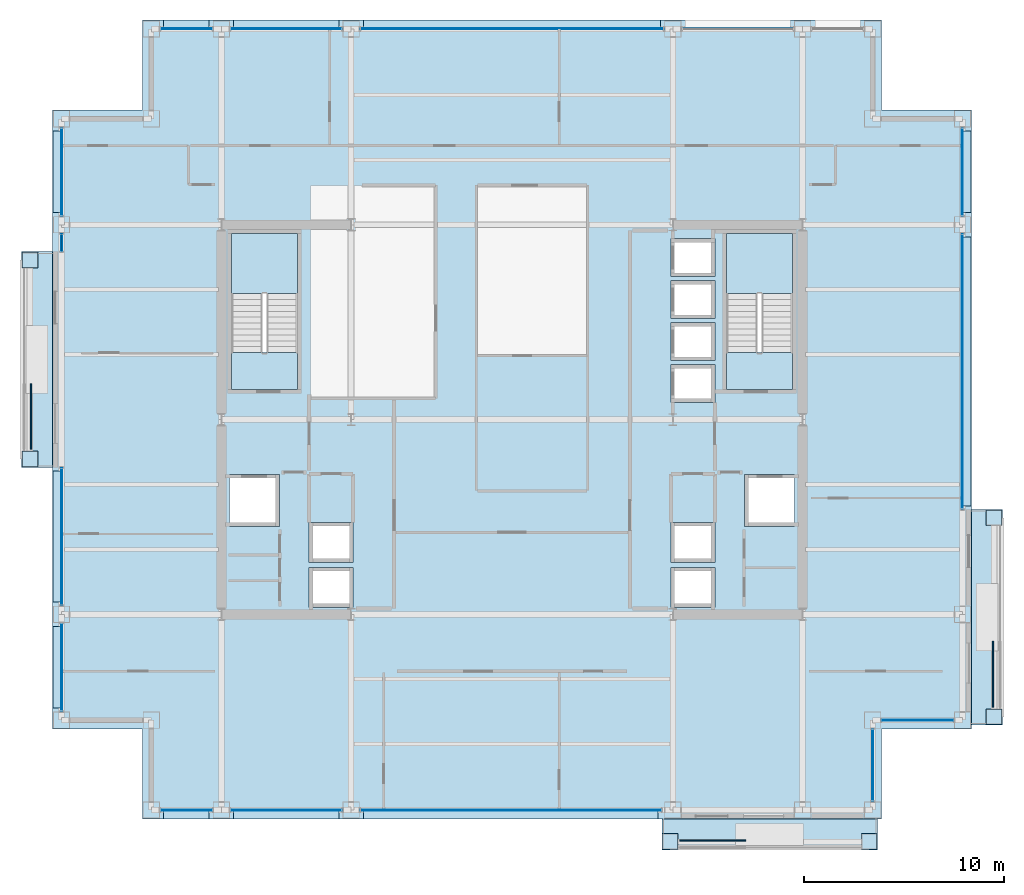
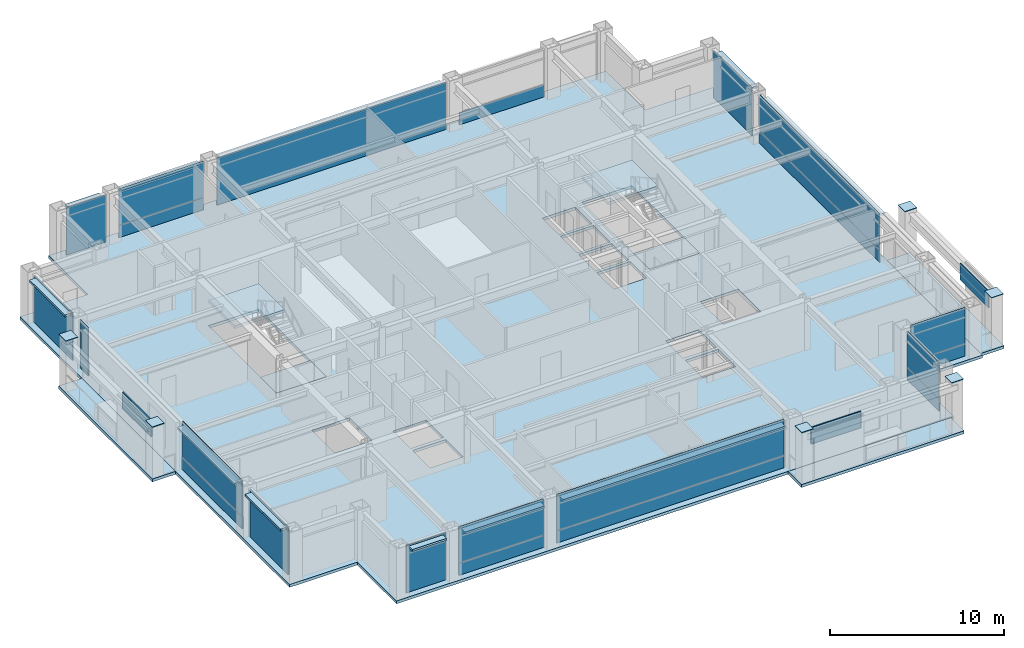
# One storey, part 24 of 31: 43 plates, 8 slabs, 1 member, 17 elements without a shape of their own.
"""IFC4 building model written with IfcOpenShell, lengths in metres."""

from ifc_helpers import new_model, si_unit, direction, frame, origin, origin_2d, place, context, subcontext, project, spatial, polyline, rectangle, hollow_rectangle, outline, extrude, material, layer, layer_set, material_profile, profile_set, type_object, element, aggregate, save


model = new_model("IFC4")

# Units and contexts
model_context = context("Model", 3, precision=1e-05, world=origin(), true_north=direction((0.0, 1.0)))
body_context = subcontext(model_context, "Body", "Model", "MODEL_VIEW")
ifc_project = project(units=[si_unit("LENGTHUNIT", "METRE"), si_unit("AREAUNIT", "SQUARE_METRE"), si_unit("VOLUMEUNIT", "CUBIC_METRE"), si_unit("PLANEANGLEUNIT", "RADIAN"), si_unit("MASSUNIT", "GRAM", prefix="KILO")], contexts=[model_context])

# Site, building, storey
site_placement = place(None, origin())
site = spatial("IfcSite", under=ifc_project, at=site_placement, CompositionType="ELEMENT")
building_placement = place(site_placement, origin())
building = spatial("IfcBuilding", under=site, at=building_placement, Name="Brelmoor Portico Tower", CompositionType="ELEMENT")
storey_placement = place(building_placement, frame((0.0, 0.0, 113.39990234375)))
storey = spatial("IfcBuildingStorey", under=building, at=storey_placement, Name="L29", CompositionType="ELEMENT", Elevation=113.39990234375)

# Curtain wall, member
ifc_material_1 = material(Name="Anodised Aluminium Alloy 6063-T6", Category="aluminium")
ifc_layer_1 = layer(ifc_material_1, 0.179931640625)
ifc_layer_set_1 = layer_set([ifc_layer_1], Name="Anodised Aluminium Alloy 6063-T6")
curtain_wall_type_1 = type_object("IfcCurtainWallType", Name="CW-TOWER-Z2", PredefinedType="NOTDEFINED", material=ifc_layer_set_1)
curtain_wall_1_placement = place(storey_placement, origin())
curtain_wall_1 = element("IfcCurtainWall", 1, at=curtain_wall_1_placement, inside=storey, type_object=curtain_wall_type_1, Name="L29 Curtain Wall CW-L29-3R-1", PredefinedType="NOTDEFINED")
ifc_material_profile = material_profile(ifc_material_1, hollow_rectangle(XDim=0.06494140625, YDim=0.139892578125, WallThickness=0.00390625, at=origin_2d()), Name="ALU TRANSOM 65x140")
ifc_profile_set = profile_set([ifc_material_profile], Name="Anodised Aluminium Alloy 6063-T6")
member_type = type_object("IfcMemberType", Name="MB-CW-TRAN-140", PredefinedType="USERDEFINED", material=ifc_profile_set)
member_placement = place(storey_placement, frame((-22.550048828125, 8.39990234375, 0.85009765625), z_axis=(0.0, 1.0, 0.0), x_axis=(-1.0, 0.0, 0.0)))
member = element("IfcMember", 2, at=member_placement, type_object=member_type, Name="CW-L29-3R-1 Transom 1-00", ObjectType="TRANSOM", PredefinedType="USERDEFINED", context=body_context, shape_type="SweptSolid", body=[
    extrude(hollow_rectangle(XDim=0.06494140625, YDim=0.139892578125, WallThickness=0.00390625, at=origin_2d()), origin(), (0.0, 0.0, 1.0), 0.9150390625),
])

# Plates
ifc_material_2 = material(Name="Steel Q355B", Category="steel")
ifc_layer_2 = layer(ifc_material_2, 0.044921875)
ifc_layer_set_2 = layer_set([ifc_layer_2], Name="Steel Q355B")
plate_type_1 = type_object("IfcPlateType", Name="PT-CAP-650", PredefinedType="SHEET", material=ifc_layer_set_2)
for number, where, z_axis, x_axis, name in (
    (3, (7.919921875, -21.1298828125, 3.60009765625), (0.0, 0.0, 1.0), (1.0, 0.0, 0.0), "L29 Proud Picture-Frame Pier PFJ-S1 Welded Head Cap Plate"),
    (4, (17.8798828125, -21.1298828125, 3.60009765625), (0.0, 0.0, 1.0), (1.0, 0.0, 0.0), "L29 Proud Picture-Frame Pier PFJ-S2 Welded Head Cap Plate"),
    (5, (24.1298828125, -14.8798828125, 3.60009765625), (0.0, 0.0, 1.0), (0.0, 1.0, 0.0), "L29 Proud Picture-Frame Pier PFJ-E1 Welded Head Cap Plate"),
    (6, (24.1298828125, -4.919921875, 3.60009765625), (0.0, 0.0, 1.0), (0.0, 1.0, 0.0), "L29 Proud Picture-Frame Pier PFJ-E2 Welded Head Cap Plate"),
    (7, (-24.1298828125, -1.97998046875, 3.60009765625), (0.0, 0.0, 1.0), (0.0, 1.0, 0.0), "L29 Proud Picture-Frame Pier PFJ-W1 Welded Head Cap Plate"),
    (8, (-24.1298828125, 7.97998046875, 3.60009765625), (0.0, 0.0, 1.0), (0.0, 1.0, 0.0), "L29 Proud Picture-Frame Pier PFJ-W2 Welded Head Cap Plate"),
):
    element("IfcPlate", number, at=place(storey_placement, frame(where, z_axis=z_axis, x_axis=x_axis)), inside=storey, type_object=plate_type_1, Name=name, PredefinedType="SHEET", context=body_context, shape_type="SweptSolid", body=[
        extrude(rectangle(XDim=0.7900390625, YDim=0.7900390625, at=origin_2d()), origin(), (0.0, 0.0, 1.0), 0.0400390625),
    ])

# Curtain wall, plate
curtain_wall_2_placement = place(storey_placement, origin())
curtain_wall_2 = element("IfcCurtainWall", 9, at=curtain_wall_2_placement, inside=storey, type_object=curtain_wall_type_1, Name="L29 Curtain Wall CW-L29-1L-2", PredefinedType="NOTDEFINED")
ifc_material_3 = material(Name="Double-Silver Low-E Insulated Glazing", Category="glass")
ifc_layer_3 = layer(ifc_material_3, 0.035888671875)
ifc_layer_set_3 = layer_set([ifc_layer_3], Name="Double-Silver Low-E Insulated Glazing")
plate_type_2 = type_object("IfcPlateType", Name="PT-CW-GLASS", PredefinedType="CURTAIN_PANEL", material=ifc_layer_set_3)
plate_1_placement = place(storey_placement, frame((-11.300048828125, -19.550048828125, 0.85009765625), z_axis=(0.0, 0.0, 1.0), x_axis=(1.0, 0.0, 0.0)))
plate_1 = element("IfcPlate", 10, at=plate_1_placement, type_object=plate_type_2, Name="CW-L29-1L-2 Vision Glass Panel 00", PredefinedType="CURTAIN_PANEL", context=body_context, shape_type="SweptSolid", body=[
    extrude(rectangle(XDim=5.60009765625, YDim=0.035888671875, at=origin_2d()), origin(), (0.0, 0.0, 1.0), 2.550048828125),
])

curtain_wall_3_placement = place(storey_placement, origin())
curtain_wall_3 = element("IfcCurtainWall", 11, at=curtain_wall_3_placement, inside=storey, type_object=curtain_wall_type_1, Name="L29 Curtain Wall CW-L29-1L-3", PredefinedType="NOTDEFINED")
plate_2_placement = place(storey_placement, frame((-0.0576171875, -19.550048828125, 0.85009765625), z_axis=(0.0, 0.0, 1.0), x_axis=(1.0, 0.0, 0.0)))
plate_2 = element("IfcPlate", 12, at=plate_2_placement, type_object=plate_type_2, Name="CW-L29-1L-3 Vision Glass Panel 00", PredefinedType="CURTAIN_PANEL", context=body_context, shape_type="SweptSolid", body=[
    extrude(rectangle(XDim=15.0849609375, YDim=0.035888671875, at=origin_2d()), origin(), (0.0, 0.0, 1.0), 2.550048828125),
])

curtain_wall_4_placement = place(storey_placement, origin())
curtain_wall_4 = element("IfcCurtainWall", 13, at=curtain_wall_4_placement, inside=storey, type_object=curtain_wall_type_1, Name="L29 Curtain Wall CW-L29-02-2", PredefinedType="NOTDEFINED")
plate_3_placement = place(storey_placement, frame((-11.300048828125, 19.550048828125, 0.85009765625), z_axis=(0.0, 0.0, 1.0), x_axis=(1.0, 0.0, 0.0)))
plate_3 = element("IfcPlate", 14, at=plate_3_placement, type_object=plate_type_2, Name="CW-L29-02-2 Vision Glass Panel 00", PredefinedType="CURTAIN_PANEL", context=body_context, shape_type="SweptSolid", body=[
    extrude(rectangle(XDim=5.60009765625, YDim=0.035888671875, at=origin_2d()), origin(), (0.0, 0.0, 1.0), 2.550048828125),
])

curtain_wall_5_placement = place(storey_placement, origin())
curtain_wall_5 = element("IfcCurtainWall", 15, at=curtain_wall_5_placement, inside=storey, type_object=curtain_wall_type_1, Name="L29 Curtain Wall CW-L29-3L-2", PredefinedType="NOTDEFINED")
plate_4_placement = place(storey_placement, frame((-22.550048828125, -5.857421875, 0.85009765625), z_axis=(0.0, 0.0, 1.0), x_axis=(0.0, 1.0, 0.0)))
plate_4 = element("IfcPlate", 16, at=plate_4_placement, type_object=plate_type_2, Name="CW-L29-3L-2 Vision Glass Panel 00", PredefinedType="CURTAIN_PANEL", context=body_context, shape_type="SweptSolid", body=[
    extrude(rectangle(XDim=6.885009765625, YDim=0.035888671875, at=origin_2d()), origin(), (0.0, 0.0, 1.0), 2.550048828125),
])

# Plate
plate_5_placement = place(storey_placement, frame((-22.550048828125, 8.857421875, 0.85009765625), z_axis=(0.0, 0.0, 1.0), x_axis=(0.0, 1.0, 0.0)))
plate_5 = element("IfcPlate", 17, at=plate_5_placement, type_object=plate_type_2, Name="CW-L29-3R-1 Vision Glass Panel 00", PredefinedType="CURTAIN_PANEL", context=body_context, shape_type="SweptSolid", body=[
    extrude(rectangle(XDim=0.885009765625, YDim=0.035888671875, at=origin_2d()), origin(), (0.0, 0.0, 1.0), 2.550048828125),
])

# Curtain wall, plate
curtain_wall_6_placement = place(storey_placement, origin())
curtain_wall_6 = element("IfcCurtainWall", 18, at=curtain_wall_6_placement, inside=storey, type_object=curtain_wall_type_1, Name="L29 Curtain Wall CW-L29-4R-1", PredefinedType="NOTDEFINED")
plate_6_placement = place(storey_placement, frame((22.550048828125, 2.407470703125, 0.85009765625), z_axis=(0.0, 0.0, 1.0), x_axis=(0.0, 1.0, 0.0)))
plate_6 = element("IfcPlate", 19, at=plate_6_placement, type_object=plate_type_2, Name="CW-L29-4R-1 Vision Glass Panel 00", PredefinedType="CURTAIN_PANEL", context=body_context, shape_type="SweptSolid", body=[
    extrude(rectangle(XDim=13.784912109375, YDim=0.035888671875, at=origin_2d()), origin(), (0.0, 0.0, 1.0), 2.550048828125),
])

ifc_layer_4 = layer(ifc_material_1, 0.179931640625)
ifc_layer_set_4 = layer_set([ifc_layer_4], Name="Anodised Aluminium Alloy 6063-T6")
curtain_wall_type_2 = type_object("IfcCurtainWallType", Name="CW-NOTCH-CHAMFER", PredefinedType="NOTDEFINED", material=ifc_layer_set_4)
curtain_wall_7_placement = place(storey_placement, origin())
curtain_wall_7 = element("IfcCurtainWall", 20, at=curtain_wall_7_placement, inside=storey, type_object=curtain_wall_type_2, Name="L29 Curtain Wall CWN-L29-SEH", PredefinedType="NOTDEFINED")
plate_7_placement = place(storey_placement, frame((20.300048828125, -15.050048828125, 0.85009765625), z_axis=(0.0, 0.0, 1.0), x_axis=(1.0, 0.0, 0.0)))
plate_7 = element("IfcPlate", 21, at=plate_7_placement, type_object=plate_type_2, Name="CWN-L29-SEH Vision Glass Panel 00", PredefinedType="CURTAIN_PANEL", context=body_context, shape_type="SweptSolid", body=[
    extrude(rectangle(XDim=3.60009765625, YDim=0.035888671875, at=origin_2d()), origin(), (0.0, 0.0, 1.0), 2.550048828125),
])

curtain_wall_8_placement = place(storey_placement, origin())
curtain_wall_8 = element("IfcCurtainWall", 22, at=curtain_wall_8_placement, inside=storey, type_object=curtain_wall_type_2, Name="L29 Curtain Wall CWN-L29-SEV", PredefinedType="NOTDEFINED")
plate_8_placement = place(storey_placement, frame((18.050048828125, -17.300048828125, 0.85009765625), z_axis=(0.0, 0.0, 1.0), x_axis=(0.0, 1.0, 0.0)))
plate_8 = element("IfcPlate", 23, at=plate_8_placement, type_object=plate_type_2, Name="CWN-L29-SEV Vision Glass Panel 00", PredefinedType="CURTAIN_PANEL", context=body_context, shape_type="SweptSolid", body=[
    extrude(rectangle(XDim=3.60009765625, YDim=0.035888671875, at=origin_2d()), origin(), (0.0, 0.0, 1.0), 2.550048828125),
])

ifc_layer_5 = layer(ifc_material_1, 0.179931640625)
ifc_layer_set_5 = layer_set([ifc_layer_5], Name="Anodised Aluminium Alloy 6063-T6")
curtain_wall_type_3 = type_object("IfcCurtainWallType", Name="CW-TOWER-Z2-XB", PredefinedType="NOTDEFINED", material=ifc_layer_set_5)
curtain_wall_9_placement = place(storey_placement, origin())
curtain_wall_9 = element("IfcCurtainWall", 24, at=curtain_wall_9_placement, inside=storey, type_object=curtain_wall_type_3, Name="L29 Curtain Wall CW-L29-1L-1", PredefinedType="NOTDEFINED")
ifc_material_4 = material(Name="Pale Champagne Anodised Aluminium Panel", Category="aluminium")
ifc_layer_6 = layer(ifc_material_4, 0.050048828125)
ifc_layer_set_6 = layer_set([ifc_layer_6], Name="Pale Champagne Anodised Aluminium Panel")
plate_type_3 = type_object("IfcPlateType", Name="PT-CW-SPANDREL", PredefinedType="SHEET", material=ifc_layer_set_6)
plate_9_placement = place(storey_placement, frame((-16.300048828125, -19.550048828125, 0.0), z_axis=(0.0, 0.0, 1.0), x_axis=(1.0, 0.0, 0.0)))
plate_9 = element("IfcPlate", 25, at=plate_9_placement, type_object=plate_type_3, Name="CW-L29-1L-1 Spandrel Panel 00", PredefinedType="SHEET", context=body_context, shape_type="SweptSolid", body=[
    extrude(rectangle(XDim=2.60009765625, YDim=0.050048828125, at=origin_2d()), origin(), (0.0, 0.0, 1.0), 3.330078125),
])
aggregate(curtain_wall_9, [plate_9])

# Plate
plate_10_placement = place(storey_placement, frame((-11.300048828125, -19.550048828125, 0.0), z_axis=(0.0, 0.0, 1.0), x_axis=(1.0, 0.0, 0.0)))
plate_10 = element("IfcPlate", 26, at=plate_10_placement, type_object=plate_type_3, Name="CW-L29-1L-2 Spandrel Panel 00", PredefinedType="SHEET", context=body_context, shape_type="SweptSolid", body=[
    extrude(rectangle(XDim=5.60009765625, YDim=0.050048828125, at=origin_2d()), origin(), (0.0, 0.0, 1.0), 0.85009765625),
])

aggregate(curtain_wall_2, [plate_10, plate_1])

plate_11_placement = place(storey_placement, frame((-0.0576171875, -19.550048828125, 0.0), z_axis=(0.0, 0.0, 1.0), x_axis=(1.0, 0.0, 0.0)))
plate_11 = element("IfcPlate", 27, at=plate_11_placement, type_object=plate_type_3, Name="CW-L29-1L-3 Spandrel Panel 00", PredefinedType="SHEET", context=body_context, shape_type="SweptSolid", body=[
    extrude(rectangle(XDim=15.0849609375, YDim=0.050048828125, at=origin_2d()), origin(), (0.0, 0.0, 1.0), 0.85009765625),
])

aggregate(curtain_wall_3, [plate_11, plate_2])

# Curtain wall, plate
curtain_wall_10_placement = place(storey_placement, origin())
curtain_wall_10 = element("IfcCurtainWall", 28, at=curtain_wall_10_placement, inside=storey, type_object=curtain_wall_type_3, Name="L29 Curtain Wall CW-L29-02-1", PredefinedType="NOTDEFINED")
plate_12_placement = place(storey_placement, frame((-16.300048828125, 19.550048828125, 0.0), z_axis=(0.0, 0.0, 1.0), x_axis=(1.0, 0.0, 0.0)))
plate_12 = element("IfcPlate", 29, at=plate_12_placement, type_object=plate_type_3, Name="CW-L29-02-1 Spandrel Panel 00", PredefinedType="SHEET", context=body_context, shape_type="SweptSolid", body=[
    extrude(rectangle(XDim=2.60009765625, YDim=0.050048828125, at=origin_2d()), origin(), (0.0, 0.0, 1.0), 3.330078125),
])
aggregate(curtain_wall_10, [plate_12])

# Plate
plate_13_placement = place(storey_placement, frame((-11.300048828125, 19.550048828125, 0.0), z_axis=(0.0, 0.0, 1.0), x_axis=(1.0, 0.0, 0.0)))
plate_13 = element("IfcPlate", 30, at=plate_13_placement, type_object=plate_type_3, Name="CW-L29-02-2 Spandrel Panel 00", PredefinedType="SHEET", context=body_context, shape_type="SweptSolid", body=[
    extrude(rectangle(XDim=5.60009765625, YDim=0.050048828125, at=origin_2d()), origin(), (0.0, 0.0, 1.0), 0.85009765625),
])

aggregate(curtain_wall_4, [plate_13, plate_3])

# Curtain wall, plate
curtain_wall_11_placement = place(storey_placement, origin())
curtain_wall_11 = element("IfcCurtainWall", 31, at=curtain_wall_11_placement, inside=storey, type_object=curtain_wall_type_3, Name="L29 Curtain Wall CW-L29-02-3", PredefinedType="NOTDEFINED")
plate_14_placement = place(storey_placement, frame((0.0, 19.550048828125, 0.0), z_axis=(0.0, 0.0, 1.0), x_axis=(1.0, 0.0, 0.0)))
plate_14 = element("IfcPlate", 32, at=plate_14_placement, type_object=plate_type_3, Name="CW-L29-02-3 Spandrel Panel 00", PredefinedType="SHEET", context=body_context, shape_type="SweptSolid", body=[
    extrude(rectangle(XDim=15.199951171875, YDim=0.050048828125, at=origin_2d()), origin(), (0.0, 0.0, 1.0), 3.330078125),
])
aggregate(curtain_wall_11, [plate_14])

curtain_wall_12_placement = place(storey_placement, origin())
curtain_wall_12 = element("IfcCurtainWall", 33, at=curtain_wall_12_placement, inside=storey, type_object=curtain_wall_type_1, Name="L29 Curtain Wall CW-L29-02-4", PredefinedType="NOTDEFINED")
plate_15_placement = place(storey_placement, frame((11.300048828125, 19.550048828125, 0.0), z_axis=(0.0, 0.0, 1.0), x_axis=(1.0, 0.0, 0.0)))
plate_15 = element("IfcPlate", 34, at=plate_15_placement, type_object=plate_type_3, Name="CW-L29-02-4 Spandrel Panel 00", PredefinedType="SHEET", context=body_context, shape_type="SweptSolid", body=[
    extrude(rectangle(XDim=5.60009765625, YDim=0.050048828125, at=origin_2d()), origin(), (0.0, 0.0, 1.0), 0.85009765625),
])
aggregate(curtain_wall_12, [plate_15])

curtain_wall_13_placement = place(storey_placement, origin())
curtain_wall_13 = element("IfcCurtainWall", 35, at=curtain_wall_13_placement, inside=storey, type_object=curtain_wall_type_3, Name="L29 Curtain Wall CW-L29-3L-1", PredefinedType="NOTDEFINED")
plate_16_placement = place(storey_placement, frame((-22.550048828125, -12.39990234375, 0.0), z_axis=(0.0, 0.0, 1.0), x_axis=(0.0, 1.0, 0.0)))
plate_16 = element("IfcPlate", 36, at=plate_16_placement, type_object=plate_type_3, Name="CW-L29-3L-1 Spandrel Panel 00", PredefinedType="SHEET", context=body_context, shape_type="SweptSolid", body=[
    extrude(rectangle(XDim=4.39990234375, YDim=0.050048828125, at=origin_2d()), origin(), (0.0, 0.0, 1.0), 3.330078125),
])
aggregate(curtain_wall_13, [plate_16])

# Plate
plate_17_placement = place(storey_placement, frame((-22.550048828125, -5.857421875, 0.0), z_axis=(0.0, 0.0, 1.0), x_axis=(0.0, 1.0, 0.0)))
plate_17 = element("IfcPlate", 37, at=plate_17_placement, type_object=plate_type_3, Name="CW-L29-3L-2 Spandrel Panel 00", PredefinedType="SHEET", context=body_context, shape_type="SweptSolid", body=[
    extrude(rectangle(XDim=6.885009765625, YDim=0.050048828125, at=origin_2d()), origin(), (0.0, 0.0, 1.0), 0.85009765625),
])

aggregate(curtain_wall_5, [plate_17, plate_4])

plate_18_placement = place(storey_placement, frame((-22.550048828125, 8.857421875, 0.0), z_axis=(0.0, 0.0, 1.0), x_axis=(0.0, 1.0, 0.0)))
plate_18 = element("IfcPlate", 38, at=plate_18_placement, type_object=plate_type_3, Name="CW-L29-3R-1 Spandrel Panel 00", PredefinedType="SHEET", context=body_context, shape_type="SweptSolid", body=[
    extrude(rectangle(XDim=0.885009765625, YDim=0.050048828125, at=origin_2d()), origin(), (0.0, 0.0, 1.0), 0.85009765625),
])

aggregate(curtain_wall_1, [member, plate_18, plate_5])

# Curtain wall, plate
curtain_wall_14_placement = place(storey_placement, origin())
curtain_wall_14 = element("IfcCurtainWall", 39, at=curtain_wall_14_placement, inside=storey, type_object=curtain_wall_type_3, Name="L29 Curtain Wall CW-L29-3R-2", PredefinedType="NOTDEFINED")
plate_19_placement = place(storey_placement, frame((-22.550048828125, 12.39990234375, 0.0), z_axis=(0.0, 0.0, 1.0), x_axis=(0.0, 1.0, 0.0)))
plate_19 = element("IfcPlate", 40, at=plate_19_placement, type_object=plate_type_3, Name="CW-L29-3R-2 Spandrel Panel 00", PredefinedType="SHEET", context=body_context, shape_type="SweptSolid", body=[
    extrude(rectangle(XDim=4.39990234375, YDim=0.050048828125, at=origin_2d()), origin(), (0.0, 0.0, 1.0), 3.330078125),
])
aggregate(curtain_wall_14, [plate_19])

# Plate
plate_20_placement = place(storey_placement, frame((22.550048828125, 2.407470703125, 0.0), z_axis=(0.0, 0.0, 1.0), x_axis=(0.0, 1.0, 0.0)))
plate_20 = element("IfcPlate", 41, at=plate_20_placement, type_object=plate_type_3, Name="CW-L29-4R-1 Spandrel Panel 00", PredefinedType="SHEET", context=body_context, shape_type="SweptSolid", body=[
    extrude(rectangle(XDim=13.784912109375, YDim=0.050048828125, at=origin_2d()), origin(), (0.0, 0.0, 1.0), 0.85009765625),
])

aggregate(curtain_wall_6, [plate_20, plate_6])

# Curtain wall, plate
curtain_wall_15_placement = place(storey_placement, origin())
curtain_wall_15 = element("IfcCurtainWall", 42, at=curtain_wall_15_placement, inside=storey, type_object=curtain_wall_type_3, Name="L29 Curtain Wall CW-L29-4R-2", PredefinedType="NOTDEFINED")
plate_21_placement = place(storey_placement, frame((22.550048828125, 12.39990234375, 0.0), z_axis=(0.0, 0.0, 1.0), x_axis=(0.0, 1.0, 0.0)))
plate_21 = element("IfcPlate", 43, at=plate_21_placement, type_object=plate_type_3, Name="CW-L29-4R-2 Spandrel Panel 00", PredefinedType="SHEET", context=body_context, shape_type="SweptSolid", body=[
    extrude(rectangle(XDim=4.39990234375, YDim=0.050048828125, at=origin_2d()), origin(), (0.0, 0.0, 1.0), 3.330078125),
])
aggregate(curtain_wall_15, [plate_21])

# Plate
plate_22_placement = place(storey_placement, frame((20.300048828125, -15.050048828125, 0.0), z_axis=(0.0, 0.0, 1.0), x_axis=(1.0, 0.0, 0.0)))
plate_22 = element("IfcPlate", 44, at=plate_22_placement, type_object=plate_type_3, Name="CWN-L29-SEH Spandrel Panel 00", PredefinedType="SHEET", context=body_context, shape_type="SweptSolid", body=[
    extrude(rectangle(XDim=3.60009765625, YDim=0.050048828125, at=origin_2d()), origin(), (0.0, 0.0, 1.0), 0.85009765625),
])

aggregate(curtain_wall_7, [plate_22, plate_7])

plate_23_placement = place(storey_placement, frame((18.050048828125, -17.300048828125, 0.0), z_axis=(0.0, 0.0, 1.0), x_axis=(0.0, 1.0, 0.0)))
plate_23 = element("IfcPlate", 45, at=plate_23_placement, type_object=plate_type_3, Name="CWN-L29-SEV Spandrel Panel 00", PredefinedType="SHEET", context=body_context, shape_type="SweptSolid", body=[
    extrude(rectangle(XDim=3.60009765625, YDim=0.050048828125, at=origin_2d()), origin(), (0.0, 0.0, 1.0), 0.85009765625),
])

aggregate(curtain_wall_8, [plate_23, plate_8])

# Plates
ifc_material_5 = material(Name="Powder-Coated Aluminium Shuttered Jalousie Louvre", Category="aluminium")
ifc_layer_7 = layer(ifc_material_5, 0.06005859375)
ifc_layer_set_7 = layer_set([ifc_layer_7], Name="Powder-Coated Aluminium Shuttered Jalousie Louvre")
plate_type_4 = type_object("IfcPlateType", Name="PT-JALOUSIE-SHUTTER", PredefinedType="SHEET", material=ifc_layer_set_7)
for number, where, z_axis, x_axis, name in (
    (46, (10.050048828125, -21.080078125, 2.275146484375), (0.0, 0.0, 1.0), (1.0, 0.0, 0.0), "L29 Shuttered Veranda Screen S"),
    (47, (-24.080078125, 0.14990234375, 2.275146484375), (0.0, 0.0, 1.0), (0.0, 1.0, 0.0), "L29 Shuttered Veranda Screen W"),
    (48, (24.080078125, -12.75, 2.275146484375), (0.0, 0.0, 1.0), (0.0, 1.0, 0.0), "L29 Shuttered Veranda Screen E"),
):
    element("IfcPlate", number, at=place(storey_placement, frame(where, z_axis=z_axis, x_axis=x_axis)), inside=storey, type_object=plate_type_4, Name=name, PredefinedType="SHEET", context=body_context, shape_type="SweptSolid", body=[
        extrude(rectangle(XDim=3.300048828125, YDim=0.080078125, at=origin_2d()), origin(), (0.0, 0.0, 1.0), 1.14990234375),
    ])
ifc_material_6 = material(Name="Pale Champagne Perforated Aluminium Solar Screen", Category="aluminium")
ifc_layer_8 = layer(ifc_material_6, 0.054931640625)
ifc_layer_set_8 = layer_set([ifc_layer_8], Name="Pale Champagne Perforated Aluminium Solar Screen")
plate_type_5 = type_object("IfcPlateType", Name="PT-SOLAR-LOUVRE", PredefinedType="SHEET", material=ifc_layer_set_8)
plate_24_placement = place(storey_placement, frame((-16.300048828125, -19.760009765625, 3.09033203125), z_axis=(0.0, 0.0, 1.0), x_axis=(1.0, 0.0, 0.0)))
element("IfcPlate", 49, at=plate_24_placement, inside=storey, type_object=plate_type_5, Name="CW-L29-1L-1 Caribbean Brise-Soleil Solar Screen", PredefinedType="SHEET", context=body_context, shape_type="SweptSolid", body=[
    extrude(rectangle(XDim=2.27001953125, YDim=0.4599609375, at=origin_2d()), origin(), (0.0, 0.0, 1.0), 0.139892578125),
])
plate_25_placement = place(storey_placement, frame((-11.300048828125, -19.760009765625, 3.09033203125), z_axis=(0.0, 0.0, 1.0), x_axis=(1.0, 0.0, 0.0)))
element("IfcPlate", 50, at=plate_25_placement, inside=storey, type_object=plate_type_5, Name="CW-L29-1L-2 Caribbean Brise-Soleil Solar Screen", PredefinedType="SHEET", context=body_context, shape_type="SweptSolid", body=[
    extrude(rectangle(XDim=5.27001953125, YDim=0.4599609375, at=origin_2d()), origin(), (0.0, 0.0, 1.0), 0.139892578125),
])
plate_26_placement = place(storey_placement, frame((-0.0576171875, -19.760009765625, 3.09033203125), z_axis=(0.0, 0.0, 1.0), x_axis=(1.0, 0.0, 0.0)))
element("IfcPlate", 51, at=plate_26_placement, inside=storey, type_object=plate_type_5, Name="CW-L29-1L-3 Caribbean Brise-Soleil Solar Screen", PredefinedType="SHEET", context=body_context, shape_type="SweptSolid", body=[
    extrude(rectangle(XDim=14.7548828125, YDim=0.4599609375, at=origin_2d()), origin(), (0.0, 0.0, 1.0), 0.139892578125),
])
plate_27_placement = place(storey_placement, frame((-16.300048828125, 19.760009765625, 3.09033203125), z_axis=(0.0, 0.0, 1.0), x_axis=(1.0, 0.0, 0.0)))
element("IfcPlate", 52, at=plate_27_placement, inside=storey, type_object=plate_type_5, Name="CW-L29-02-1 Caribbean Brise-Soleil Solar Screen", PredefinedType="SHEET", context=body_context, shape_type="SweptSolid", body=[
    extrude(rectangle(XDim=2.27001953125, YDim=0.4599609375, at=origin_2d()), origin(), (0.0, 0.0, 1.0), 0.139892578125),
])
plate_28_placement = place(storey_placement, frame((-11.300048828125, 19.760009765625, 3.09033203125), z_axis=(0.0, 0.0, 1.0), x_axis=(1.0, 0.0, 0.0)))
element("IfcPlate", 53, at=plate_28_placement, inside=storey, type_object=plate_type_5, Name="CW-L29-02-2 Caribbean Brise-Soleil Solar Screen", PredefinedType="SHEET", context=body_context, shape_type="SweptSolid", body=[
    extrude(rectangle(XDim=5.27001953125, YDim=0.4599609375, at=origin_2d()), origin(), (0.0, 0.0, 1.0), 0.139892578125),
])
plate_29_placement = place(storey_placement, frame((0.0, 19.760009765625, 3.09033203125), z_axis=(0.0, 0.0, 1.0), x_axis=(1.0, 0.0, 0.0)))
element("IfcPlate", 54, at=plate_29_placement, inside=storey, type_object=plate_type_5, Name="CW-L29-02-3 Caribbean Brise-Soleil Solar Screen", PredefinedType="SHEET", context=body_context, shape_type="SweptSolid", body=[
    extrude(rectangle(XDim=14.8701171875, YDim=0.4599609375, at=origin_2d()), origin(), (0.0, 0.0, 1.0), 0.139892578125),
])
plate_30_placement = place(storey_placement, frame((-22.760009765625, -12.39990234375, 3.09033203125), z_axis=(0.0, 0.0, 1.0), x_axis=(0.0, 1.0, 0.0)))
element("IfcPlate", 55, at=plate_30_placement, inside=storey, type_object=plate_type_5, Name="CW-L29-3L-1 Caribbean Brise-Soleil Solar Screen", PredefinedType="SHEET", context=body_context, shape_type="SweptSolid", body=[
    extrude(rectangle(XDim=4.070068359375, YDim=0.4599609375, at=origin_2d()), origin(), (0.0, 0.0, 1.0), 0.139892578125),
])
plate_31_placement = place(storey_placement, frame((-22.760009765625, -5.857421875, 3.09033203125), z_axis=(0.0, 0.0, 1.0), x_axis=(0.0, 1.0, 0.0)))
element("IfcPlate", 56, at=plate_31_placement, inside=storey, type_object=plate_type_5, Name="CW-L29-3L-2 Caribbean Brise-Soleil Solar Screen", PredefinedType="SHEET", context=body_context, shape_type="SweptSolid", body=[
    extrude(rectangle(XDim=6.554931640625, YDim=0.4599609375, at=origin_2d()), origin(), (0.0, 0.0, 1.0), 0.139892578125),
])
plate_32_placement = place(storey_placement, frame((-22.760009765625, 12.39990234375, 3.09033203125), z_axis=(0.0, 0.0, 1.0), x_axis=(0.0, 1.0, 0.0)))
element("IfcPlate", 57, at=plate_32_placement, inside=storey, type_object=plate_type_5, Name="CW-L29-3R-2 Caribbean Brise-Soleil Solar Screen", PredefinedType="SHEET", context=body_context, shape_type="SweptSolid", body=[
    extrude(rectangle(XDim=4.070068359375, YDim=0.4599609375, at=origin_2d()), origin(), (0.0, 0.0, 1.0), 0.139892578125),
])
plate_33_placement = place(storey_placement, frame((22.760009765625, 2.407470703125, 3.09033203125), z_axis=(0.0, 0.0, 1.0), x_axis=(0.0, 1.0, 0.0)))
element("IfcPlate", 58, at=plate_33_placement, inside=storey, type_object=plate_type_5, Name="CW-L29-4R-1 Caribbean Brise-Soleil Solar Screen", PredefinedType="SHEET", context=body_context, shape_type="SweptSolid", body=[
    extrude(rectangle(XDim=13.455078125, YDim=0.4599609375, at=origin_2d()), origin(), (0.0, 0.0, 1.0), 0.139892578125),
])
plate_34_placement = place(storey_placement, frame((22.760009765625, 12.39990234375, 3.09033203125), z_axis=(0.0, 0.0, 1.0), x_axis=(0.0, 1.0, 0.0)))
element("IfcPlate", 59, at=plate_34_placement, inside=storey, type_object=plate_type_5, Name="CW-L29-4R-2 Caribbean Brise-Soleil Solar Screen", PredefinedType="SHEET", context=body_context, shape_type="SweptSolid", body=[
    extrude(rectangle(XDim=4.070068359375, YDim=0.4599609375, at=origin_2d()), origin(), (0.0, 0.0, 1.0), 0.139892578125),
])

# Slabs
ifc_material_7 = material(Name="Concrete C40", Category="concrete")
ifc_layer_9 = layer(ifc_material_7, 0.199951171875)
ifc_layer_set_9 = layer_set([ifc_layer_9], Name="Concrete C40")
slab_type_1 = type_object("IfcSlabType", Name="SL-BALCONY-200", PredefinedType="FLOOR", material=ifc_layer_set_9)
slab_1_placement = place(storey_placement, frame((0.0, 0.0, -0.199951171875)))
element("IfcSlab", 60, at=slab_1_placement, inside=storey, type_object=slab_type_1, Name="L29 Loggia Tree Balcony Slab S", PredefinedType="FLOOR", context=body_context, shape_type="SweptSolid", body=[
    extrude(outline(polyline([(7.5, -21.550048828125), (18.300048828125, -21.550048828125), (18.300048828125, -20.0), (7.5, -20.0), (7.5, -21.550048828125)])), origin(), (0.0, 0.0, 1.0), 0.199951171875),
])
slab_2_placement = place(storey_placement, frame((0.0, 0.0, -0.199951171875)))
element("IfcSlab", 61, at=slab_2_placement, inside=storey, type_object=slab_type_1, Name="L29 Loggia Tree Balcony Slab E", PredefinedType="FLOOR", context=body_context, shape_type="SweptSolid", body=[
    extrude(outline(polyline([(23.0, -15.300048828125), (24.550048828125, -15.300048828125), (24.550048828125, -4.5), (23.0, -4.5), (23.0, -15.300048828125)])), origin(), (0.0, 0.0, 1.0), 0.199951171875),
])
slab_3_placement = place(storey_placement, frame((0.0, 0.0, -0.199951171875)))
element("IfcSlab", 62, at=slab_3_placement, inside=storey, type_object=slab_type_1, Name="L29 Loggia Tree Balcony Slab W", PredefinedType="FLOOR", context=body_context, shape_type="SweptSolid", body=[
    extrude(outline(polyline([(-24.550048828125, -2.39990234375), (-23.0, -2.39990234375), (-23.0, 8.39990234375), (-24.550048828125, 8.39990234375), (-24.550048828125, -2.39990234375)])), origin(), (0.0, 0.0, 1.0), 0.199951171875),
])
ifc_layer_10 = layer(ifc_material_7, 0.199951171875)
ifc_layer_set_10 = layer_set([ifc_layer_10], Name="Concrete C40")
slab_type_2 = type_object("IfcSlabType", Name="SL-FLOOR-200", PredefinedType="FLOOR", material=ifc_layer_set_10)
slab_4_placement = place(storey_placement, frame((0.0, 0.0, -0.199951171875)))
element("IfcSlab", 63, at=slab_4_placement, inside=storey, type_object=slab_type_2, Name="L29 Main Structural Floor Slab", PredefinedType="FLOOR", context=body_context, shape_type="SweptSolid", body=[
    extrude(outline(polyline([(-18.5, -20.0), (18.5, -20.0), (18.5, -15.5), (23.0, -15.5), (23.0, 15.5), (18.5, 15.5), (18.5, 20.0), (-18.5, 20.0), (-18.5, 15.5), (-23.0, 15.5), (-23.0, -15.5), (-18.5, -15.5), (-18.5, -20.0)]), holes=[polyline([(-10.72998046875, 1.5), (-10.72998046875, 9.300048828125), (-14.050048828125, 9.300048828125), (-14.050048828125, 1.5), (-10.72998046875, 1.5)]), polyline([(14.050048828125, 1.5), (14.050048828125, 9.300048828125), (10.72998046875, 9.300048828125), (10.72998046875, 1.5), (14.050048828125, 1.5)]), polyline([(7.949951171875, 0.85009765625), (10.14990234375, 0.85009765625), (10.14990234375, 2.75), (7.949951171875, 2.75), (7.949951171875, 0.85009765625)]), polyline([(7.949951171875, 2.949951171875), (10.14990234375, 2.949951171875), (10.14990234375, 4.85009765625), (7.949951171875, 4.85009765625), (7.949951171875, 2.949951171875)]), polyline([(7.949951171875, 5.050048828125), (10.14990234375, 5.050048828125), (10.14990234375, 6.949951171875), (7.949951171875, 6.949951171875), (7.949951171875, 5.050048828125)]), polyline([(7.949951171875, 7.14990234375), (10.14990234375, 7.14990234375), (10.14990234375, 9.050048828125), (7.949951171875, 9.050048828125), (7.949951171875, 7.14990234375)]), polyline([(-10.14990234375, -9.39990234375), (-7.949951171875, -9.39990234375), (-7.949951171875, -7.39990234375), (-10.14990234375, -7.39990234375), (-10.14990234375, -9.39990234375)]), polyline([(-10.14990234375, -7.14990234375), (-7.949951171875, -7.14990234375), (-7.949951171875, -5.14990234375), (-10.14990234375, -5.14990234375), (-10.14990234375, -7.14990234375)]), polyline([(7.949951171875, -9.39990234375), (10.14990234375, -9.39990234375), (10.14990234375, -7.39990234375), (7.949951171875, -7.39990234375), (7.949951171875, -9.39990234375)]), polyline([(7.949951171875, -7.14990234375), (10.14990234375, -7.14990234375), (10.14990234375, -5.14990234375), (7.949951171875, -5.14990234375), (7.949951171875, -7.14990234375)]), polyline([(-14.14990234375, -5.35009765625), (-11.64990234375, -5.35009765625), (-11.64990234375, -2.75), (-14.14990234375, -2.75), (-14.14990234375, -5.35009765625)]), polyline([(11.64990234375, -5.35009765625), (14.14990234375, -5.35009765625), (14.14990234375, -2.75), (11.64990234375, -2.75), (11.64990234375, -5.35009765625)])]), origin(), (0.0, 0.0, 1.0), 0.199951171875),
])

# Stair, slab
stair_type_1 = type_object("IfcStairType", Name="ST-CORE-W", PredefinedType="HALF_TURN_STAIR", material=ifc_material_7)
stair_1_placement = place(storey_placement, origin())
stair_1 = element("IfcStair", 64, at=stair_1_placement, inside=storey, type_object=stair_type_1, Name="L29 Protected Core Exit Stair ST-W", PredefinedType="HALF_TURN_STAIR")
ifc_layer_11 = layer(ifc_material_7, 0.179931640625)
ifc_layer_set_11 = layer_set([ifc_layer_11], Name="Concrete C40")
slab_type_3 = type_object("IfcSlabType", Name="SL-LANDING-180", PredefinedType="LANDING", material=ifc_layer_set_11)
slab_5_placement = place(storey_placement, frame((0.0, 0.0, 1.60009765625)))
slab_5 = element("IfcSlab", 65, at=slab_5_placement, type_object=slab_type_3, Name="ST-W landing 1", PredefinedType="LANDING", context=body_context, shape_type="SweptSolid", body=[
    extrude(outline(polyline([(-10.72998046875, 6.300048828125), (-10.72998046875, 9.300048828125), (-14.050048828125, 9.300048828125), (-14.050048828125, 6.300048828125), (-10.72998046875, 6.300048828125)])), origin(), (0.0, 0.0, 1.0), 0.199951171875),
])
aggregate(stair_1, [slab_5])

stair_type_2 = type_object("IfcStairType", Name="ST-CORE-E", PredefinedType="HALF_TURN_STAIR", material=ifc_material_7)
stair_2_placement = place(storey_placement, origin())
stair_2 = element("IfcStair", 66, at=stair_2_placement, inside=storey, type_object=stair_type_2, Name="L29 Protected Core Exit Stair ST-E", PredefinedType="HALF_TURN_STAIR")
slab_6_placement = place(storey_placement, frame((0.0, 0.0, 1.60009765625)))
slab_6 = element("IfcSlab", 67, at=slab_6_placement, type_object=slab_type_3, Name="ST-E landing 1", PredefinedType="LANDING", context=body_context, shape_type="SweptSolid", body=[
    extrude(outline(polyline([(14.050048828125, 6.300048828125), (14.050048828125, 9.300048828125), (10.72998046875, 9.300048828125), (10.72998046875, 6.300048828125), (14.050048828125, 6.300048828125)])), origin(), (0.0, 0.0, 1.0), 0.199951171875),
])
aggregate(stair_2, [slab_6])

# Slabs
ifc_layer_12 = layer(ifc_material_7, 0.199951171875)
ifc_layer_set_12 = layer_set([ifc_layer_12], Name="Concrete C40")
slab_type_4 = type_object("IfcSlabType", Name="SL-STAIR-FL200", PredefinedType="LANDING", material=ifc_layer_set_12)
slab_7_placement = place(storey_placement, frame((0.0, 0.0, -0.199951171875)))
element("IfcSlab", 68, at=slab_7_placement, inside=storey, type_object=slab_type_4, Name="L29 ST-W Structural Floor Landing Slab", PredefinedType="LANDING", context=body_context, shape_type="SweptSolid", body=[
    extrude(outline(polyline([(-10.72998046875, 1.5), (-10.72998046875, 3.35009765625), (-14.050048828125, 3.35009765625), (-14.050048828125, 1.5), (-10.72998046875, 1.5)])), origin(), (0.0, 0.0, 1.0), 0.199951171875),
])
slab_8_placement = place(storey_placement, frame((0.0, 0.0, -0.199951171875)))
element("IfcSlab", 69, at=slab_8_placement, inside=storey, type_object=slab_type_4, Name="L29 ST-E Structural Floor Landing Slab", PredefinedType="LANDING", context=body_context, shape_type="SweptSolid", body=[
    extrude(outline(polyline([(14.050048828125, 1.5), (14.050048828125, 3.35009765625), (10.72998046875, 3.35009765625), (10.72998046875, 1.5), (14.050048828125, 1.5)])), origin(), (0.0, 0.0, 1.0), 0.199951171875),
])

save(model, "model.ifc")
